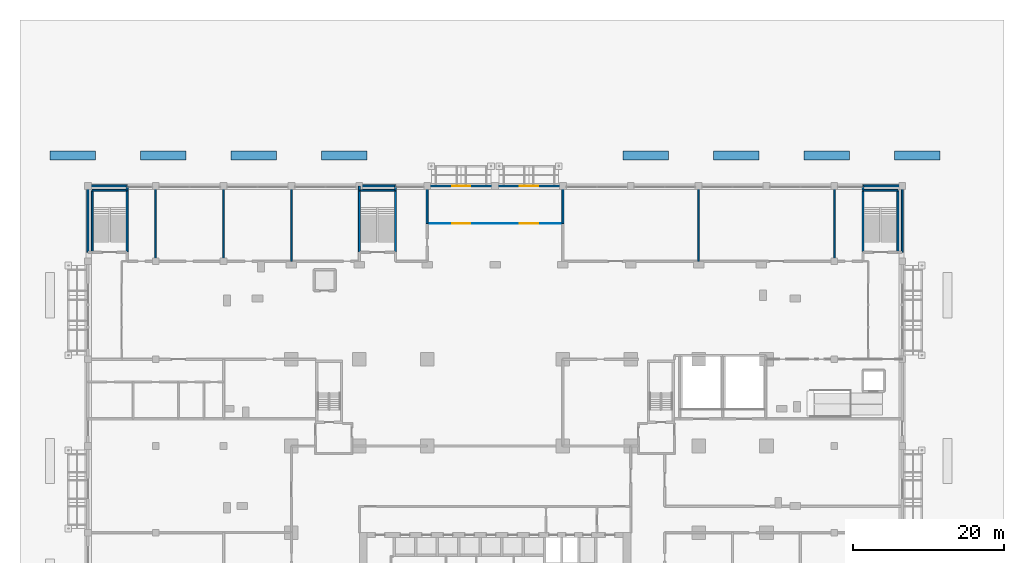
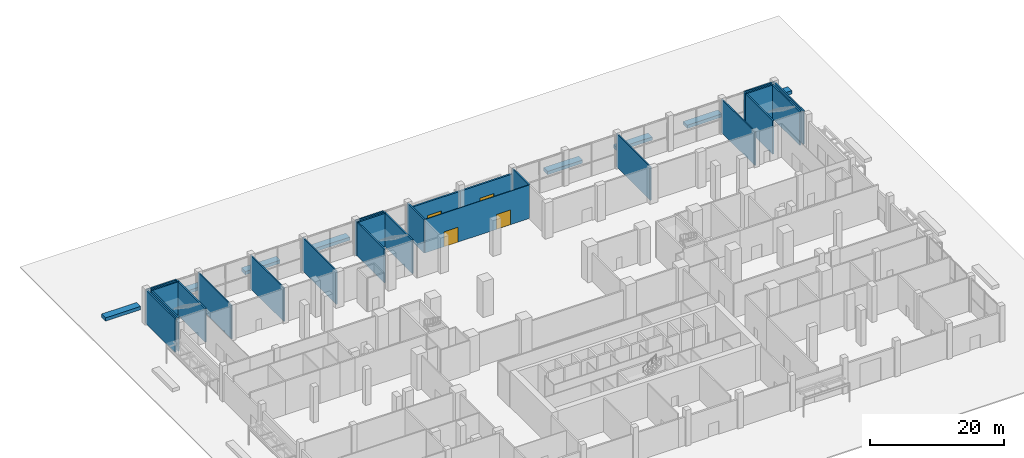
# One storey, part 36 of 39: 36 walls, 4 doors, 4 openings.
"""IFC4 building model written with IfcOpenShell, lengths in metres."""

from ifc_helpers import new_model, si_unit, direction, frame, frame_2d, origin, place, context, subcontext, project, spatial, rectangle, extrude, material, layer, layer_set, type_object, element, fill, save


model = new_model("IFC4")

# Units and contexts
model_context = context("Model", 3, precision=1e-05, world=origin(), true_north=direction((0.0, 1.0)))
body_context = subcontext(model_context, "Body", "Model", "MODEL_VIEW")
ifc_project = project(units=[si_unit("LENGTHUNIT", "METRE"), si_unit("AREAUNIT", "SQUARE_METRE"), si_unit("VOLUMEUNIT", "CUBIC_METRE"), si_unit("PLANEANGLEUNIT", "RADIAN"), si_unit("MASSUNIT", "GRAM", prefix="KILO")], contexts=[model_context])

# Site, building, storey
site_placement = place(None, origin())
site = spatial("IfcSite", under=ifc_project, at=site_placement, CompositionType="ELEMENT")
building_placement = place(site_placement, origin())
building = spatial("IfcBuilding", under=site, at=building_placement, Name="Brigalow Station Residences", CompositionType="ELEMENT")
storey_placement = place(building_placement, origin())
storey = spatial("IfcBuildingStorey", under=building, at=storey_placement, Name="L00", CompositionType="ELEMENT", Elevation=0.0)

# Wall, opening, door
ifc_material_1 = material(Name="Glass and aluminium shopfront on a masonry base", Category="masonry")
ifc_layer_1 = layer(ifc_material_1, 0.300048828125)
ifc_layer_set_1 = layer_set([ifc_layer_1], Name="ENTRANCE INFILL 300")
wall_type_1 = type_object("IfcWallType", Name="ENTRANCE INFILL 300", PredefinedType="SOLIDWALL", material=ifc_layer_set_1)
wall_1_placement = place(storey_placement, frame((36.0, 58.5, 0.0), z_axis=(0.0, 0.0, 1.0), x_axis=(1.0, 0.0, 0.0)))
wall_1 = element("IfcWall", 1, at=wall_1_placement, inside=storey, type_object=wall_type_1, Name="Entrance Infill 300 Plaza Entrance Vestibule / OUT", PredefinedType="SOLIDWALL", context=body_context, shape_type="SweptSolid", body=[
    extrude(rectangle(XDim=9.0, YDim=0.300048828125, at=frame_2d((4.5, 0.0))), origin(), (0.0, 0.0, 1.0), 5.14794921875),
])
opening_1_placement = place(wall_1_placement, frame((3.300048828125, 0.0, 0.0)))
opening_1 = element("IfcOpeningElement", 2, at=opening_1_placement, cuts=wall_1, Name="Opening D-7121", PredefinedType="OPENING", context=body_context, shape_type="SweptSolid", body=[
    extrude(rectangle(XDim=2.39990234375, YDim=2.699951171875, at=frame_2d((1.199951171875, 1.35009765625))), frame((0.0, 0.16015625, 0.0), z_axis=(0.0, -1.0, 0.0), x_axis=(1.0, 0.0, 0.0)), (0.0, 0.0, 1.0), 0.320068359375),
])
ifc_material_2 = material(Name="Fire-rated glass leaves in steel frame", Category="steel")
door_type = type_object("IfcDoorType", Name="DOOR DOUBLE 2400 GLAZED FIRE", OperationType="DOUBLE_DOOR_SINGLE_SWING", PredefinedType="DOOR", material=ifc_material_2)
door_1_placement = place(opening_1_placement, origin())
door_1 = element("IfcDoor", 3, at=door_1_placement, inside=storey, type_object=door_type, Name="Plaza entrance outer door 2", OperationType="DOUBLE_DOOR_SINGLE_SWING", OverallHeight=2.699951171875, OverallWidth=2.39990234375, PredefinedType="DOOR", context=body_context, shape_type="SweptSolid", body=[
    extrude(rectangle(XDim=2.39990234375, YDim=2.699951171875, at=frame_2d((1.199951171875, 1.35009765625))), frame((0.0, 0.02490234375, 0.0), z_axis=(0.0, -1.0, 0.0), x_axis=(1.0, 0.0, 0.0)), (0.0, 0.0, 1.0), 0.050048828125),
])
fill(opening_1, door_1)

wall_2_placement = place(storey_placement, frame((27.0, 58.5, 0.0), z_axis=(0.0, 0.0, 1.0), x_axis=(1.0, 0.0, 0.0)))
wall_2 = element("IfcWall", 4, at=wall_2_placement, inside=storey, type_object=wall_type_1, Name="Entrance Infill 300 Plaza Entrance Vestibule / OUT", PredefinedType="SOLIDWALL", context=body_context, shape_type="SweptSolid", body=[
    extrude(rectangle(XDim=9.0, YDim=0.300048828125, at=frame_2d((4.5, 0.0))), origin(), (0.0, 0.0, 1.0), 5.14794921875),
])
opening_2_placement = place(wall_2_placement, frame((3.300048828125, 0.0, 0.0)))
opening_2 = element("IfcOpeningElement", 5, at=opening_2_placement, cuts=wall_2, Name="Opening D-7120", PredefinedType="OPENING", context=body_context, shape_type="SweptSolid", body=[
    extrude(rectangle(XDim=2.39990234375, YDim=2.699951171875, at=frame_2d((1.199951171875, 1.35009765625))), frame((0.0, 0.16015625, 0.0), z_axis=(0.0, -1.0, 0.0), x_axis=(1.0, 0.0, 0.0)), (0.0, 0.0, 1.0), 0.320068359375),
])
door_2_placement = place(opening_2_placement, origin())
door_2 = element("IfcDoor", 6, at=door_2_placement, inside=storey, type_object=door_type, Name="Plaza entrance outer door 1", OperationType="DOUBLE_DOOR_SINGLE_SWING", OverallHeight=2.699951171875, OverallWidth=2.39990234375, PredefinedType="DOOR", context=body_context, shape_type="SweptSolid", body=[
    extrude(rectangle(XDim=2.39990234375, YDim=2.699951171875, at=frame_2d((1.199951171875, 1.35009765625))), frame((0.0, 0.02490234375, 0.0), z_axis=(0.0, -1.0, 0.0), x_axis=(1.0, 0.0, 0.0)), (0.0, 0.0, 1.0), 0.050048828125),
])
fill(opening_2, door_2)

# Walls
ifc_material_3 = material(Name="Fire-rated plasterboard on steel studs", Category="steel")
ifc_layer_2 = layer(ifc_material_3, 0.25)
ifc_layer_set_2 = layer_set([ifc_layer_2], Name="FIRE PARTITION 250")
wall_type_2 = type_object("IfcWallType", Name="FIRE PARTITION 250", PredefinedType="PARTITIONING", material=ifc_layer_set_2)
for number, where, z_axis, x_axis, name in (
    (7, (27.0, 53.5, 0.0), (0.0, 0.0, 1.0), (0.0, 1.0, 0.0), "Fire Partition 250 Plaza Entrance Vestibule / Coffee Kiosk"),
    (8, (45.0, 53.5, 0.0), (0.0, 0.0, 1.0), (0.0, 1.0, 0.0), "Fire Partition 250 Plaza Entrance Vestibule / Cafe"),
):
    element("IfcWall", number, at=place(storey_placement, frame(where, z_axis=z_axis, x_axis=x_axis)), inside=storey, type_object=wall_type_2, Name=name, PredefinedType="PARTITIONING", context=body_context, shape_type="SweptSolid", body=[
        extrude(rectangle(XDim=5.0, YDim=0.25, at=frame_2d((2.5, 0.0))), origin(), (0.0, 0.0, 1.0), 6.097900390625),
    ])
for number, where, z_axis, x_axis, name in (
    (9, (-12.800048828125, 57.925048828125, 0.0), (0.0, 0.0, 1.0), (0.0, 1.0, 0.0), "Fire Partition 250 Newsagent Kiosk / Exit Stair St-4 Services Riser"),
    (10, (18.0, 57.925048828125, 0.0), (0.0, 0.0, 1.0), (0.0, 1.0, 0.0), "Fire Partition 250 Chemist Shop / Exit Stair St-6 Services Riser"),
    (11, (22.800048828125, 57.925048828125, 0.0), (0.0, 0.0, 1.0), (0.0, 1.0, 0.0), "Fire Partition 250 Coffee Kiosk / Exit Stair St-6 Services Riser"),
):
    element("IfcWall", number, at=place(storey_placement, frame(where, z_axis=z_axis, x_axis=x_axis)), inside=storey, type_object=wall_type_2, Name=name, PredefinedType="PARTITIONING", context=body_context, shape_type="SweptSolid", body=[
        extrude(rectangle(XDim=0.530029296875, YDim=0.25, at=frame_2d((0.26513671875, 0.0))), origin(), (0.0, 0.0, 1.0), 6.097900390625),
    ])
wall_3_placement = place(storey_placement, frame((84.800048828125, 57.969970703125, 0.0), z_axis=(0.0, 0.0, 1.0), x_axis=(0.0, 1.0, 0.0)))
element("IfcWall", 12, at=wall_3_placement, inside=storey, type_object=wall_type_2, Name="Fire Partition 250 Exit Stair St-5 Services Riser / Bookshop", PredefinedType="PARTITIONING", context=body_context, shape_type="SweptSolid", body=[
    extrude(rectangle(XDim=0.485107421875, YDim=0.25, at=frame_2d((0.24267578125, 0.0))), origin(), (0.0, 0.0, 1.0), 6.097900390625),
])

# Wall, openings, doors
ifc_material_4 = material(Name="Toughened glass in stainless steel frame", Category="steel")
ifc_layer_3 = layer(ifc_material_4, 0.10009765625)
ifc_layer_set_3 = layer_set([ifc_layer_3], Name="GLAZED SCREEN 100")
wall_type_3 = type_object("IfcWallType", Name="GLAZED SCREEN 100", PredefinedType="PARTITIONING", material=ifc_layer_set_3)
wall_4_placement = place(storey_placement, frame((27.0, 53.5, 0.0), z_axis=(0.0, 0.0, 1.0), x_axis=(1.0, 0.0, 0.0)))
wall_4 = element("IfcWall", 13, at=wall_4_placement, inside=storey, type_object=wall_type_3, Name="Glazed Screen 100 Concourse / Plaza Entrance Vestibule", PredefinedType="PARTITIONING", context=body_context, shape_type="SweptSolid", body=[
    extrude(rectangle(XDim=18.0, YDim=0.10009765625, at=frame_2d((9.0, 0.0))), origin(), (0.0, 0.0, 1.0), 6.097900390625),
])
opening_3_placement = place(wall_4_placement, frame((3.300048828125, 0.0, 0.0)))
opening_3 = element("IfcOpeningElement", 14, at=opening_3_placement, cuts=wall_4, Name="Opening D-7155", PredefinedType="OPENING", context=body_context, shape_type="SweptSolid", body=[
    extrude(rectangle(XDim=2.39990234375, YDim=2.699951171875, at=frame_2d((1.199951171875, 1.35009765625))), frame((0.0, 0.06005859375, 0.0), z_axis=(0.0, -1.0, 0.0), x_axis=(1.0, 0.0, 0.0)), (0.0, 0.0, 1.0), 0.1201171875),
])
opening_4_placement = place(wall_4_placement, frame((12.300048828125, 0.0, 0.0)))
opening_4 = element("IfcOpeningElement", 15, at=opening_4_placement, cuts=wall_4, Name="Opening D-7156", PredefinedType="OPENING", context=body_context, shape_type="SweptSolid", body=[
    extrude(rectangle(XDim=2.39990234375, YDim=2.699951171875, at=frame_2d((1.199951171875, 1.35009765625))), frame((0.0, 0.06005859375, 0.0), z_axis=(0.0, -1.0, 0.0), x_axis=(1.0, 0.0, 0.0)), (0.0, 0.0, 1.0), 0.1201171875),
])
door_3_placement = place(opening_3_placement, origin())
door_3 = element("IfcDoor", 16, at=door_3_placement, inside=storey, type_object=door_type, Name="Plaza entrance inner door", OperationType="DOUBLE_DOOR_SINGLE_SWING", OverallHeight=2.699951171875, OverallWidth=2.39990234375, PredefinedType="DOOR", context=body_context, shape_type="SweptSolid", body=[
    extrude(rectangle(XDim=2.39990234375, YDim=2.699951171875, at=frame_2d((1.199951171875, 1.35009765625))), frame((0.0, 0.02490234375, 0.0), z_axis=(0.0, -1.0, 0.0), x_axis=(1.0, 0.0, 0.0)), (0.0, 0.0, 1.0), 0.050048828125),
])
fill(opening_3, door_3)
door_4_placement = place(opening_4_placement, origin())
door_4 = element("IfcDoor", 17, at=door_4_placement, inside=storey, type_object=door_type, Name="Plaza entrance inner door", OperationType="DOUBLE_DOOR_SINGLE_SWING", OverallHeight=2.699951171875, OverallWidth=2.39990234375, PredefinedType="DOOR", context=body_context, shape_type="SweptSolid", body=[
    extrude(rectangle(XDim=2.39990234375, YDim=2.699951171875, at=frame_2d((1.199951171875, 1.35009765625))), frame((0.0, 0.02490234375, 0.0), z_axis=(0.0, -1.0, 0.0), x_axis=(1.0, 0.0, 0.0)), (0.0, 0.0, 1.0), 0.050048828125),
])
fill(opening_4, door_4)

# Walls
ifc_material_5 = material(Name="Plasterboard on steel studs with acoustic insulation", Category="steel")
ifc_layer_4 = layer(ifc_material_5, 0.199951171875)
ifc_layer_set_4 = layer_set([ifc_layer_4], Name="PARTITION 200")
wall_type_4 = type_object("IfcWallType", Name="PARTITION 200", PredefinedType="PARTITIONING", material=ifc_layer_set_4)
for number, where, z_axis, x_axis, name in (
    (18, (-9.0, 48.5, 0.0), (0.0, 0.0, 1.0), (0.0, 1.0, 0.0), "Partition 200 Newsagent Kiosk / Florist Shop"),
    (19, (0.0, 48.5, 0.0), (0.0, 0.0, 1.0), (0.0, 1.0, 0.0), "Partition 200 Florist Shop / Bakery Kiosk"),
    (20, (9.0, 48.5, 0.0), (0.0, 0.0, 1.0), (0.0, 1.0, 0.0), "Partition 200 Bakery Kiosk / Chemist Shop"),
    (21, (63.0, 48.5, 0.0), (0.0, 0.0, 1.0), (0.0, 1.0, 0.0), "Partition 200 Cafe / Convenience Shop"),
    (22, (81.0, 48.5, 0.0), (0.0, 0.0, 1.0), (0.0, 1.0, 0.0), "Partition 200 Convenience Shop / Bookshop"),
):
    element("IfcWall", number, at=place(storey_placement, frame(where, z_axis=z_axis, x_axis=x_axis)), inside=storey, type_object=wall_type_4, Name=name, PredefinedType="PARTITIONING", context=body_context, shape_type="SweptSolid", body=[
        extrude(rectangle(XDim=10.0, YDim=0.199951171875, at=frame_2d((5.0, 0.0))), origin(), (0.0, 0.0, 1.0), 6.097900390625),
    ])
ifc_material_6 = material(Name="Concrete C50", Category="concrete")
ifc_layer_5 = layer(ifc_material_6, 1.199951171875)
ifc_layer_set_5 = layer_set([ifc_layer_5], Name="PLANTER 1200")
wall_type_5 = type_object("IfcWallType", Name="PLANTER 1200", PredefinedType="USERDEFINED", material=ifc_layer_set_5)
for number, where, z_axis, x_axis, name in (
    (23, (-23.0, 62.5, 0.0), (0.0, 0.0, 1.0), (1.0, 0.0, 0.0), "Planter PLAZA-1"),
    (24, (-11.0, 62.5, 0.0), (0.0, 0.0, 1.0), (1.0, 0.0, 0.0), "Planter PLAZA-2"),
    (25, (1.0, 62.5, 0.0), (0.0, 0.0, 1.0), (1.0, 0.0, 0.0), "Planter PLAZA-3"),
    (26, (13.0, 62.5, 0.0), (0.0, 0.0, 1.0), (1.0, 0.0, 0.0), "Planter PLAZA-4"),
    (27, (53.0, 62.5, 0.0), (0.0, 0.0, 1.0), (1.0, 0.0, 0.0), "Planter PLAZA-5"),
    (28, (65.0, 62.5, 0.0), (0.0, 0.0, 1.0), (1.0, 0.0, 0.0), "Planter PLAZA-6"),
    (29, (77.0, 62.5, 0.0), (0.0, 0.0, 1.0), (1.0, 0.0, 0.0), "Planter PLAZA-7"),
    (30, (89.0, 62.5, 0.0), (0.0, 0.0, 1.0), (1.0, 0.0, 0.0), "Planter PLAZA-8"),
):
    element("IfcWall", number, at=place(storey_placement, frame(where, z_axis=z_axis, x_axis=x_axis)), inside=storey, type_object=wall_type_5, Name=name, ObjectType="PLANTER", PredefinedType="USERDEFINED", context=body_context, shape_type="SweptSolid", body=[
        extrude(rectangle(XDim=6.0, YDim=1.199951171875, at=frame_2d((3.0, 0.0))), origin(), (0.0, 0.0, 1.0), 0.60009765625),
    ])
ifc_material_7 = material(Name="Concrete C50", Category="concrete")
ifc_layer_6 = layer(ifc_material_7, 0.25)
ifc_layer_set_6 = layer_set([ifc_layer_6], Name="STAIR ENCLOSURE 250")
wall_type_6 = type_object("IfcWallType", Name="STAIR ENCLOSURE 250", PredefinedType="SOLIDWALL", material=ifc_layer_set_6)
for number, where, z_axis, x_axis, name in (
    (31, (-12.800048828125, 49.7451171875, 0.0), (0.0, 0.0, 1.0), (0.0, 1.0, 0.0), "Stair Enclosure 250 Newsagent Kiosk / Exit Stair St-4"),
    (32, (18.0, 49.7451171875, 0.0), (0.0, 0.0, 1.0), (0.0, 1.0, 0.0), "Stair Enclosure 250 Chemist Shop / Exit Stair St-6"),
    (33, (22.800048828125, 49.7451171875, 0.0), (0.0, 0.0, 1.0), (0.0, 1.0, 0.0), "Stair Enclosure 250 Coffee Kiosk / Exit Stair St-6"),
):
    element("IfcWall", number, at=place(storey_placement, frame(where, z_axis=z_axis, x_axis=x_axis)), inside=storey, type_object=wall_type_6, Name=name, PredefinedType="SOLIDWALL", context=body_context, shape_type="SweptSolid", body=[
        extrude(rectangle(XDim=8.179931640625, YDim=0.25, at=frame_2d((4.08984375, 0.0))), origin(), (0.0, 0.0, 1.0), 6.097900390625),
    ])
wall_5_placement = place(storey_placement, frame((-17.425048828125, 57.925048828125, 0.0), z_axis=(0.0, 0.0, 1.0), x_axis=(1.0, 0.0, 0.0)))
element("IfcWall", 34, at=wall_5_placement, inside=storey, type_object=wall_type_6, Name="Stair Enclosure 250 Exit Stair St-4 / Exit Stair St-4 Services Riser", PredefinedType="SOLIDWALL", context=body_context, shape_type="SweptSolid", body=[
    extrude(rectangle(XDim=4.580078125, YDim=0.25, at=frame_2d((2.2900390625, 0.0))), origin(), (0.0, 0.0, 1.0), 6.097900390625),
])
wall_6_placement = place(storey_placement, frame((-17.425048828125, 49.7451171875, 0.0), z_axis=(0.0, 0.0, 1.0), x_axis=(0.0, 1.0, 0.0)))
element("IfcWall", 35, at=wall_6_placement, inside=storey, type_object=wall_type_6, Name="Stair Enclosure 250 Exit Stair St-4 / Exit Stair St-4 Services Riser", PredefinedType="SOLIDWALL", context=body_context, shape_type="SweptSolid", body=[
    extrude(rectangle(XDim=8.134765625, YDim=0.25, at=frame_2d((4.0673828125, 0.0))), origin(), (0.0, 0.0, 1.0), 6.097900390625),
])
wall_7_placement = place(storey_placement, frame((84.800048828125, 57.925048828125, 0.0), z_axis=(0.0, 0.0, 1.0), x_axis=(1.0, 0.0, 0.0)))
element("IfcWall", 36, at=wall_7_placement, inside=storey, type_object=wall_type_6, Name="Stair Enclosure 250 Exit Stair St-5 / Exit Stair St-5 Services Riser", PredefinedType="SOLIDWALL", context=body_context, shape_type="SweptSolid", body=[
    extrude(rectangle(XDim=4.625, YDim=0.25, at=frame_2d((2.3125, 0.0))), origin(), (0.0, 0.0, 1.0), 6.097900390625),
])
for number, where, z_axis, x_axis, name in (
    (37, (89.425048828125, 49.7451171875, 0.0), (0.0, 0.0, 1.0), (0.0, 1.0, 0.0), "Stair Enclosure 250 Exit Stair St-5 / Exit Stair St-5 Services Riser"),
    (38, (84.800048828125, 49.7451171875, 0.0), (0.0, 0.0, 1.0), (0.0, 1.0, 0.0), "Stair Enclosure 250 Exit Stair St-5 / Bookshop"),
):
    element("IfcWall", number, at=place(storey_placement, frame(where, z_axis=z_axis, x_axis=x_axis)), inside=storey, type_object=wall_type_6, Name=name, PredefinedType="SOLIDWALL", context=body_context, shape_type="SweptSolid", body=[
        extrude(rectangle(XDim=8.134765625, YDim=0.25, at=frame_2d((4.0673828125, 0.0))), origin(), (0.0, 0.0, 1.0), 6.097900390625),
    ])
wall_8_placement = place(storey_placement, frame((18.044921875, 57.925048828125, 0.0), z_axis=(0.0, 0.0, 1.0), x_axis=(1.0, 0.0, 0.0)))
element("IfcWall", 39, at=wall_8_placement, inside=storey, type_object=wall_type_6, Name="Stair Enclosure 250 Exit Stair St-6 / Exit Stair St-6 Services Riser", PredefinedType="SOLIDWALL", context=body_context, shape_type="SweptSolid", body=[
    extrude(rectangle(XDim=4.7099609375, YDim=0.25, at=frame_2d((2.35498046875, 0.0))), origin(), (0.0, 0.0, 1.0), 6.097900390625),
])
ifc_material_8 = material(Name="Concrete C50", Category="concrete")
ifc_layer_7 = layer(ifc_material_8, 0.25)
ifc_layer_set_7 = layer_set([ifc_layer_7], Name="STAIR ROOF WALL 250")
wall_type_7 = type_object("IfcWallType", Name="STAIR ROOF WALL 250", PredefinedType="SOLIDWALL", material=ifc_layer_set_7)
wall_9_placement = place(storey_placement, frame((90.0, 49.699951171875, 0.0), z_axis=(0.0, 0.0, 1.0), x_axis=(0.0, 1.0, 0.0)))
element("IfcWall", 40, at=wall_9_placement, inside=storey, type_object=wall_type_7, Name="Stair Roof Wall 250 Exit Stair St-5 Services Riser / OUT", PredefinedType="SOLIDWALL", context=body_context, shape_type="SweptSolid", body=[
    extrude(rectangle(XDim=8.800048828125, YDim=0.25, at=frame_2d((4.39990234375, 0.0))), origin(), (0.0, 0.0, 1.0), 6.097900390625),
])
wall_10_placement = place(storey_placement, frame((-18.0, 58.5, 0.0), z_axis=(0.0, 0.0, 1.0), x_axis=(1.0, 0.0, 0.0)))
element("IfcWall", 41, at=wall_10_placement, inside=storey, type_object=wall_type_7, Name="Stair Roof Wall 250 Exit Stair St-4 Services Riser / OUT", PredefinedType="SOLIDWALL", context=body_context, shape_type="SweptSolid", body=[
    extrude(rectangle(XDim=5.199951171875, YDim=0.25, at=frame_2d((2.60009765625, 0.0))), origin(), (0.0, 0.0, 1.0), 6.097900390625),
])
wall_11_placement = place(storey_placement, frame((84.800048828125, 58.5, 0.0), z_axis=(0.0, 0.0, 1.0), x_axis=(1.0, 0.0, 0.0)))
element("IfcWall", 42, at=wall_11_placement, inside=storey, type_object=wall_type_7, Name="Stair Roof Wall 250 Exit Stair St-5 Services Riser / OUT", PredefinedType="SOLIDWALL", context=body_context, shape_type="SweptSolid", body=[
    extrude(rectangle(XDim=5.155029296875, YDim=0.25, at=frame_2d((2.57763671875, 0.0))), origin(), (0.0, 0.0, 1.0), 6.097900390625),
])
wall_12_placement = place(storey_placement, frame((18.0, 58.5, 0.0), z_axis=(0.0, 0.0, 1.0), x_axis=(1.0, 0.0, 0.0)))
element("IfcWall", 43, at=wall_12_placement, inside=storey, type_object=wall_type_7, Name="Stair Roof Wall 250 Exit Stair St-6 Services Riser / OUT", PredefinedType="SOLIDWALL", context=body_context, shape_type="SweptSolid", body=[
    extrude(rectangle(XDim=4.800048828125, YDim=0.25, at=frame_2d((2.39990234375, 0.0))), origin(), (0.0, 0.0, 1.0), 6.097900390625),
])
wall_13_placement = place(storey_placement, frame((-18.0, 49.699951171875, 0.0), z_axis=(0.0, 0.0, 1.0), x_axis=(0.0, 1.0, 0.0)))
element("IfcWall", 44, at=wall_13_placement, inside=storey, type_object=wall_type_7, Name="Stair Roof Wall 250 Exit Stair St-4 Services Riser / OUT", PredefinedType="SOLIDWALL", context=body_context, shape_type="SweptSolid", body=[
    extrude(rectangle(XDim=8.755126953125, YDim=0.25, at=frame_2d((4.37744140625, 0.0))), origin(), (0.0, 0.0, 1.0), 6.097900390625),
])

save(model, "model.ifc")
